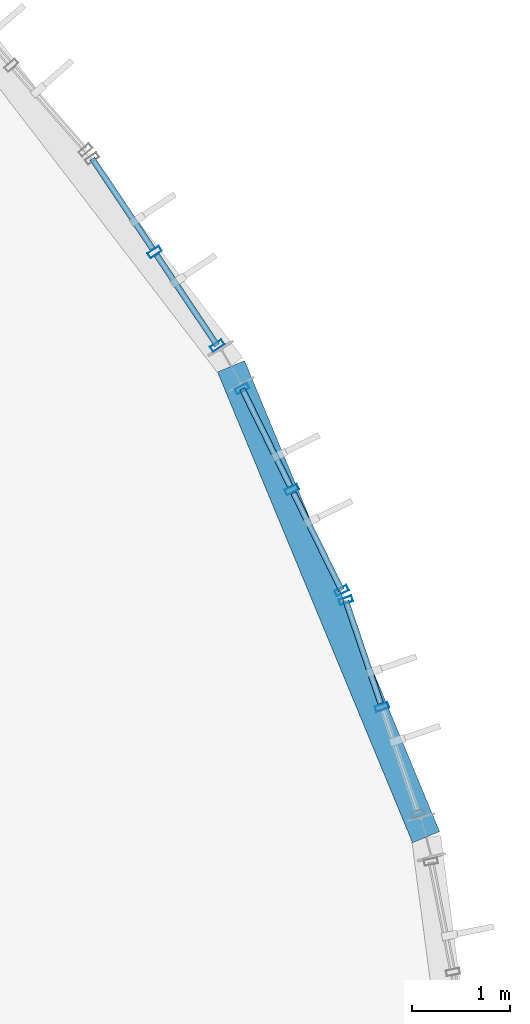
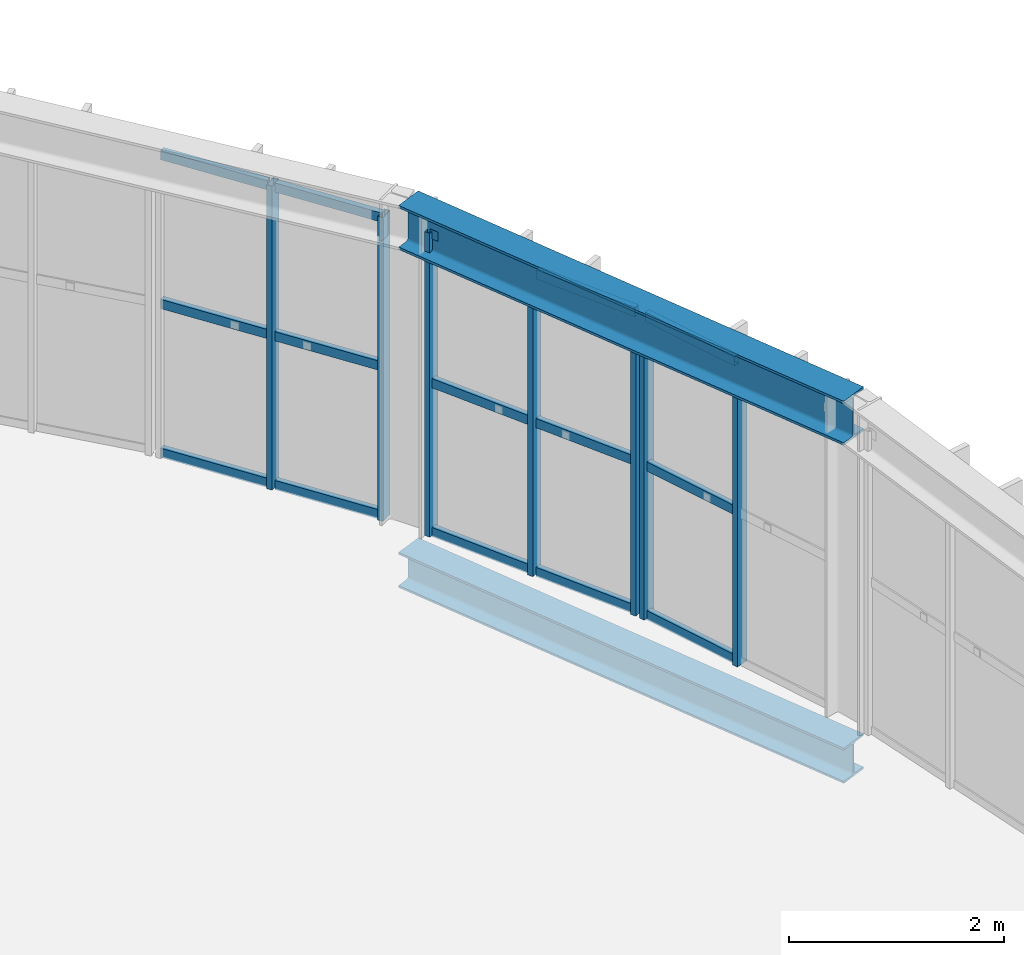
# One storey, part 73 of 152: 22 members, 2 beams, 3 elements without a shape of their own.
"""IFC4 building model written with IfcOpenShell, lengths in metres."""

from ifc_helpers import new_model, si_unit, derived_unit, direction, frame, origin, origin_2d, place, context, subcontext, project, spatial, hollow_rectangle, i_section, extrude, material, material_profile, profile_set, type_object, element, aggregate, save


model = new_model("IFC4")

# Units and contexts
model_context = context("Model", 3, precision=1e-05, world=origin(), true_north=direction((0.0, 1.0)))
body_context = subcontext(model_context, "Body", "Model", "MODEL_VIEW")
ifc_project = project(units=[si_unit("LENGTHUNIT", "METRE"), si_unit("AREAUNIT", "SQUARE_METRE"), si_unit("VOLUMEUNIT", "CUBIC_METRE"), si_unit("PLANEANGLEUNIT", "RADIAN"), si_unit("MASSUNIT", "GRAM", prefix="KILO"), si_unit("THERMODYNAMICTEMPERATUREUNIT", "KELVIN"), si_unit("TIMEUNIT", "SECOND"), derived_unit("THERMALTRANSMITTANCEUNIT", [(si_unit("MASSUNIT", "GRAM", prefix="KILO"), 1), (si_unit("THERMODYNAMICTEMPERATUREUNIT", "KELVIN"), -1), (si_unit("TIMEUNIT", "SECOND"), -3)])], contexts=[model_context])

# Site, building, storey
site_placement = place(None, origin())
site = spatial("IfcSite", under=ifc_project, at=site_placement, CompositionType="ELEMENT")
building_placement = place(site_placement, origin())
building = spatial("IfcBuilding", under=site, at=building_placement, Name="Cambertide Market Hall", CompositionType="ELEMENT")
storey_placement = place(building_placement, frame((0.0, 0.0, 5.39990234375)))
storey = spatial("IfcBuildingStorey", under=building, at=storey_placement, Name="L02", CompositionType="ELEMENT", Elevation=5.39990234375)

# Curtain wall, members
ifc_material_1 = material(Name="Marine Anodized Aluminium 6063-T6 AA25", Category="aluminium")
curtain_wall_type = type_object("IfcCurtainWallType", Name="Lantern Apse Chord Upper Curtain Wall", PredefinedType="USERDEFINED", material=ifc_material_1)
curtain_wall_1_placement = place(storey_placement, origin())
curtain_wall_1 = element("IfcCurtainWall", 1, at=curtain_wall_1_placement, inside=storey, type_object=curtain_wall_type, Name="Level 2 Curtain Wall CW-V1AE-L02-15", ObjectType="UNITIZED CURTAIN WALL", PredefinedType="USERDEFINED")
ifc_material_2 = material(Name="Champagne Marine Anodized Aluminium 6063-T6 AA25", Category="aluminium")
ifc_material_profile_1 = material_profile(ifc_material_2, hollow_rectangle(XDim=0.06005859375, YDim=0.139892578125, WallThickness=0.00341796875, at=origin_2d()), Name="ALU MULLION 60x140")
ifc_profile_set_1 = profile_set([ifc_material_profile_1], Name="Champagne Marine Anodized Aluminium 6063-T6 AA25")
member_type_1 = type_object("IfcMemberType", Name="Curtain Wall Mullion ALU MULLION 60x140", PredefinedType="MULLION", material=ifc_profile_set_1)
member_1_placement = place(storey_placement, frame((123.495361328125, 79.6015625, 0.0), z_axis=(0.0, 0.0, 1.0), x_axis=(0.32143947831, -0.94693012508, 0.0)))
member_1 = element("IfcMember", 2, at=member_1_placement, type_object=member_type_1, Name="CW-V1AE-L02-15 Mullion 1", PredefinedType="MULLION", context=body_context, shape_type="SweptSolid", body=[
    extrude(hollow_rectangle(XDim=0.06005859375, YDim=0.139892578125, WallThickness=0.00341796875, at=origin_2d()), origin(), (0.0, 0.0, 1.0), 3.4501953125),
])
member_2_placement = place(storey_placement, frame((123.865966796875, 78.509765625, 0.0), z_axis=(0.0, 0.0, 1.0), x_axis=(0.32143947831, -0.94693012508, 0.0)))
member_2 = element("IfcMember", 3, at=member_2_placement, type_object=member_type_1, Name="CW-V1AE-L02-15 Mullion 2", PredefinedType="MULLION", context=body_context, shape_type="SweptSolid", body=[
    extrude(hollow_rectangle(XDim=0.06005859375, YDim=0.139892578125, WallThickness=0.00341796875, at=origin_2d()), origin(), (0.0, 0.0, 1.0), 3.4501953125),
])

curtain_wall_2_placement = place(storey_placement, origin())
curtain_wall_2 = element("IfcCurtainWall", 4, at=curtain_wall_2_placement, inside=storey, type_object=curtain_wall_type, Name="Level 2 Curtain Wall CW-V1AE-L02-16", ObjectType="UNITIZED CURTAIN WALL", PredefinedType="USERDEFINED")
member_3_placement = place(storey_placement, frame((122.433349609375, 81.771240234375, 0.0), z_axis=(0.0, 0.0, 1.0), x_axis=(0.442288874522, -0.896872650645, 0.0)))
member_3 = element("IfcMember", 5, at=member_3_placement, type_object=member_type_1, Name="CW-V1AE-L02-16 Mullion 1", PredefinedType="MULLION", context=body_context, shape_type="SweptSolid", body=[
    extrude(hollow_rectangle(XDim=0.06005859375, YDim=0.139892578125, WallThickness=0.00341796875, at=origin_2d()), origin(), (0.0, 0.0, 1.0), 3.4501953125),
])
member_4_placement = place(storey_placement, frame((122.943359375, 80.737060546875, 0.0), z_axis=(0.0, 0.0, 1.0), x_axis=(0.442288874522, -0.896872650645, 0.0)))
member_4 = element("IfcMember", 6, at=member_4_placement, type_object=member_type_1, Name="CW-V1AE-L02-16 Mullion 2", PredefinedType="MULLION", context=body_context, shape_type="SweptSolid", body=[
    extrude(hollow_rectangle(XDim=0.06005859375, YDim=0.139892578125, WallThickness=0.00341796875, at=origin_2d()), origin(), (0.0, 0.0, 1.0), 3.4501953125),
])
member_5_placement = place(storey_placement, frame((123.453369140625, 79.702880859375, 0.0), z_axis=(0.0, 0.0, 1.0), x_axis=(0.442288874522, -0.896872650645, 0.0)))
member_5 = element("IfcMember", 7, at=member_5_placement, type_object=member_type_1, Name="CW-V1AE-L02-16 Mullion 3", PredefinedType="MULLION", context=body_context, shape_type="SweptSolid", body=[
    extrude(hollow_rectangle(XDim=0.06005859375, YDim=0.139892578125, WallThickness=0.00341796875, at=origin_2d()), origin(), (0.0, 0.0, 1.0), 3.4501953125),
])

curtain_wall_3_placement = place(storey_placement, origin())
curtain_wall_3 = element("IfcCurtainWall", 8, at=curtain_wall_3_placement, inside=storey, type_object=curtain_wall_type, Name="Level 2 Curtain Wall CW-V1AE-L02-17", ObjectType="UNITIZED CURTAIN WALL", PredefinedType="USERDEFINED")
member_6_placement = place(storey_placement, frame((121.538330078125, 83.170654296875, 0.0), z_axis=(0.0, 0.0, 1.0), x_axis=(0.555570087582, -0.831469709481, 0.0)))
member_6 = element("IfcMember", 9, at=member_6_placement, type_object=member_type_1, Name="CW-V1AE-L02-17 Mullion 2", PredefinedType="MULLION", context=body_context, shape_type="SweptSolid", body=[
    extrude(hollow_rectangle(XDim=0.06005859375, YDim=0.139892578125, WallThickness=0.00341796875, at=origin_2d()), origin(), (0.0, 0.0, 1.0), 3.4501953125),
])
member_7_placement = place(storey_placement, frame((122.178955078125, 82.2119140625, 0.0), z_axis=(0.0, 0.0, 1.0), x_axis=(0.555570087582, -0.831469709481, 0.0)))
member_7 = element("IfcMember", 10, at=member_7_placement, type_object=member_type_1, Name="CW-V1AE-L02-17 Mullion 3", PredefinedType="MULLION", context=body_context, shape_type="SweptSolid", body=[
    extrude(hollow_rectangle(XDim=0.06005859375, YDim=0.139892578125, WallThickness=0.00341796875, at=origin_2d()), origin(), (0.0, 0.0, 1.0), 3.4501953125),
])

# Member
ifc_material_3 = material(Name="Champagne Marine Anodized Aluminium 6063-T6 AA25", Category="aluminium")
ifc_material_profile_2 = material_profile(ifc_material_3, hollow_rectangle(XDim=0.06005859375, YDim=0.10498046875, WallThickness=0.0029296875, at=origin_2d()), Name="ALU TRANSOM 60x105")
ifc_profile_set_2 = profile_set([ifc_material_profile_2], Name="Champagne Marine Anodized Aluminium 6063-T6 AA25")
member_type_2 = type_object("IfcMemberType", Name="Curtain Wall Transom ALU TRANSOM 60x105", PredefinedType="USERDEFINED", material=ifc_profile_set_2)
member_8_placement = place(storey_placement, frame((123.496826171875, 79.596923828125, 0.03515625), z_axis=(0.321444521782, -0.946928413037, 0.0), x_axis=(0.946928413037, 0.321444521782, 0.0)))
member_8 = element("IfcMember", 11, at=member_8_placement, type_object=member_type_2, Name="CW-V1AE-L02-15 Transom 1-1", ObjectType="TRANSOM", PredefinedType="USERDEFINED", context=body_context, shape_type="SweptSolid", body=[
    extrude(hollow_rectangle(XDim=0.06005859375, YDim=0.10498046875, WallThickness=0.0029296875, at=origin_2d()), origin(), (0.0, 0.0, 1.0), 1.108154296875),
])

member_9_placement = place(storey_placement, frame((123.496826171875, 79.596923828125, 1.72509765625), z_axis=(0.321444521782, -0.946928413037, 0.0), x_axis=(0.946928413037, 0.321444521782, 0.0)))
member_9 = element("IfcMember", 12, at=member_9_placement, type_object=member_type_2, Name="CW-V1AE-L02-15 Transom 2-1", ObjectType="TRANSOM", PredefinedType="USERDEFINED", context=body_context, shape_type="SweptSolid", body=[
    extrude(hollow_rectangle(XDim=0.06005859375, YDim=0.10498046875, WallThickness=0.0029296875, at=origin_2d()), origin(), (0.0, 0.0, 1.0), 1.108154296875),
])

member_10_placement = place(storey_placement, frame((123.496826171875, 79.596923828125, 3.4150390625), z_axis=(0.321444521782, -0.946928413037, 0.0), x_axis=(0.946928413037, 0.321444521782, 0.0)))
member_10 = element("IfcMember", 13, at=member_10_placement, type_object=member_type_2, Name="CW-V1AE-L02-15 Transom 3-1", ObjectType="TRANSOM", PredefinedType="USERDEFINED", context=body_context, shape_type="SweptSolid", body=[
    extrude(hollow_rectangle(XDim=0.06005859375, YDim=0.10498046875, WallThickness=0.0029296875, at=origin_2d()), origin(), (0.0, 0.0, 1.0), 1.108154296875),
])

aggregate(curtain_wall_1, [member_1, member_2, member_8, member_9, member_10])

member_11_placement = place(storey_placement, frame((122.435546875, 81.766845703125, 0.03515625), z_axis=(0.442183235129, -0.896924738521, 0.0), x_axis=(0.896924738521, 0.442183235129, 0.0)))
member_11 = element("IfcMember", 14, at=member_11_placement, type_object=member_type_2, Name="CW-V1AE-L02-16 Transom 1-1", ObjectType="TRANSOM", PredefinedType="USERDEFINED", context=body_context, shape_type="SweptSolid", body=[
    extrude(hollow_rectangle(XDim=0.06005859375, YDim=0.10498046875, WallThickness=0.0029296875, at=origin_2d()), origin(), (0.0, 0.0, 1.0), 1.108154296875),
])

member_12_placement = place(storey_placement, frame((122.9609375, 80.701171875, 0.03515625), z_axis=(0.44244786472, -0.896794227794, 0.0), x_axis=(0.896794227794, 0.44244786472, 0.0)))
member_12 = element("IfcMember", 15, at=member_12_placement, type_object=member_type_2, Name="CW-V1AE-L02-16 Transom 1-2", ObjectType="TRANSOM", PredefinedType="USERDEFINED", context=body_context, shape_type="SweptSolid", body=[
    extrude(hollow_rectangle(XDim=0.06005859375, YDim=0.10498046875, WallThickness=0.0029296875, at=origin_2d()), origin(), (0.0, 0.0, 1.0), 1.10791015625),
])

member_13_placement = place(storey_placement, frame((122.435546875, 81.766845703125, 1.72509765625), z_axis=(0.442183235129, -0.896924738521, 0.0), x_axis=(0.896924738521, 0.442183235129, 0.0)))
member_13 = element("IfcMember", 16, at=member_13_placement, type_object=member_type_2, Name="CW-V1AE-L02-16 Transom 2-1", ObjectType="TRANSOM", PredefinedType="USERDEFINED", context=body_context, shape_type="SweptSolid", body=[
    extrude(hollow_rectangle(XDim=0.06005859375, YDim=0.10498046875, WallThickness=0.0029296875, at=origin_2d()), origin(), (0.0, 0.0, 1.0), 1.108154296875),
])

member_14_placement = place(storey_placement, frame((122.9609375, 80.701171875, 1.72509765625), z_axis=(0.44244786472, -0.896794227794, 0.0), x_axis=(0.896794227794, 0.44244786472, 0.0)))
member_14 = element("IfcMember", 17, at=member_14_placement, type_object=member_type_2, Name="CW-V1AE-L02-16 Transom 2-2", ObjectType="TRANSOM", PredefinedType="USERDEFINED", context=body_context, shape_type="SweptSolid", body=[
    extrude(hollow_rectangle(XDim=0.06005859375, YDim=0.10498046875, WallThickness=0.0029296875, at=origin_2d()), origin(), (0.0, 0.0, 1.0), 1.10791015625),
])

member_15_placement = place(storey_placement, frame((122.435546875, 81.766845703125, 3.4150390625), z_axis=(0.442183235129, -0.896924738521, 0.0), x_axis=(0.896924738521, 0.442183235129, 0.0)))
member_15 = element("IfcMember", 18, at=member_15_placement, type_object=member_type_2, Name="CW-V1AE-L02-16 Transom 3-1", ObjectType="TRANSOM", PredefinedType="USERDEFINED", context=body_context, shape_type="SweptSolid", body=[
    extrude(hollow_rectangle(XDim=0.06005859375, YDim=0.10498046875, WallThickness=0.0029296875, at=origin_2d()), origin(), (0.0, 0.0, 1.0), 1.108154296875),
])

member_16_placement = place(storey_placement, frame((122.9609375, 80.701171875, 3.4150390625), z_axis=(0.44244786472, -0.896794227794, 0.0), x_axis=(0.896794227794, 0.44244786472, 0.0)))
member_16 = element("IfcMember", 19, at=member_16_placement, type_object=member_type_2, Name="CW-V1AE-L02-16 Transom 3-2", ObjectType="TRANSOM", PredefinedType="USERDEFINED", context=body_context, shape_type="SweptSolid", body=[
    extrude(hollow_rectangle(XDim=0.06005859375, YDim=0.10498046875, WallThickness=0.0029296875, at=origin_2d()), origin(), (0.0, 0.0, 1.0), 1.10791015625),
])

aggregate(curtain_wall_2, [member_3, member_4, member_5, member_11, member_12, member_13, member_14, member_15, member_16])

member_17_placement = place(storey_placement, frame((120.900390625, 84.125244140625, 0.03515625), z_axis=(0.55571677103, -0.831371680054, 0.0), x_axis=(0.831371680054, 0.55571677103, 0.0)))
member_17 = element("IfcMember", 20, at=member_17_placement, type_object=member_type_2, Name="CW-V1AE-L02-17 Transom 1-1", ObjectType="TRANSOM", PredefinedType="USERDEFINED", context=body_context, shape_type="SweptSolid", body=[
    extrude(hollow_rectangle(XDim=0.06005859375, YDim=0.10498046875, WallThickness=0.0029296875, at=origin_2d()), origin(), (0.0, 0.0, 1.0), 1.10791015625),
])

member_18_placement = place(storey_placement, frame((121.560546875, 83.137451171875, 0.03515625), z_axis=(0.555462658685, -0.83154148111, 0.0), x_axis=(0.83154148111, 0.555462658685, 0.0)))
member_18 = element("IfcMember", 21, at=member_18_placement, type_object=member_type_2, Name="CW-V1AE-L02-17 Transom 1-2", ObjectType="TRANSOM", PredefinedType="USERDEFINED", context=body_context, shape_type="SweptSolid", body=[
    extrude(hollow_rectangle(XDim=0.06005859375, YDim=0.10498046875, WallThickness=0.0029296875, at=origin_2d()), origin(), (0.0, 0.0, 1.0), 1.108154296875),
])

member_19_placement = place(storey_placement, frame((120.900390625, 84.125244140625, 1.72509765625), z_axis=(0.55571677103, -0.831371680054, 0.0), x_axis=(0.831371680054, 0.55571677103, 0.0)))
member_19 = element("IfcMember", 22, at=member_19_placement, type_object=member_type_2, Name="CW-V1AE-L02-17 Transom 2-1", ObjectType="TRANSOM", PredefinedType="USERDEFINED", context=body_context, shape_type="SweptSolid", body=[
    extrude(hollow_rectangle(XDim=0.06005859375, YDim=0.10498046875, WallThickness=0.0029296875, at=origin_2d()), origin(), (0.0, 0.0, 1.0), 1.10791015625),
])

member_20_placement = place(storey_placement, frame((121.560546875, 83.137451171875, 1.72509765625), z_axis=(0.555462658685, -0.83154148111, 0.0), x_axis=(0.83154148111, 0.555462658685, 0.0)))
member_20 = element("IfcMember", 23, at=member_20_placement, type_object=member_type_2, Name="CW-V1AE-L02-17 Transom 2-2", ObjectType="TRANSOM", PredefinedType="USERDEFINED", context=body_context, shape_type="SweptSolid", body=[
    extrude(hollow_rectangle(XDim=0.06005859375, YDim=0.10498046875, WallThickness=0.0029296875, at=origin_2d()), origin(), (0.0, 0.0, 1.0), 1.108154296875),
])

member_21_placement = place(storey_placement, frame((120.900390625, 84.125244140625, 3.4150390625), z_axis=(0.55571677103, -0.831371680054, 0.0), x_axis=(0.831371680054, 0.55571677103, 0.0)))
member_21 = element("IfcMember", 24, at=member_21_placement, type_object=member_type_2, Name="CW-V1AE-L02-17 Transom 3-1", ObjectType="TRANSOM", PredefinedType="USERDEFINED", context=body_context, shape_type="SweptSolid", body=[
    extrude(hollow_rectangle(XDim=0.06005859375, YDim=0.10498046875, WallThickness=0.0029296875, at=origin_2d()), origin(), (0.0, 0.0, 1.0), 1.10791015625),
])

member_22_placement = place(storey_placement, frame((121.560546875, 83.137451171875, 3.4150390625), z_axis=(0.555462658685, -0.83154148111, 0.0), x_axis=(0.83154148111, 0.555462658685, 0.0)))
member_22 = element("IfcMember", 25, at=member_22_placement, type_object=member_type_2, Name="CW-V1AE-L02-17 Transom 3-2", ObjectType="TRANSOM", PredefinedType="USERDEFINED", context=body_context, shape_type="SweptSolid", body=[
    extrude(hollow_rectangle(XDim=0.06005859375, YDim=0.10498046875, WallThickness=0.0029296875, at=origin_2d()), origin(), (0.0, 0.0, 1.0), 1.108154296875),
])

aggregate(curtain_wall_3, [member_6, member_7, member_17, member_18, member_19, member_20, member_21, member_22])

# Beams
ifc_material_4 = material(Name="Steel S355", Category="steel")
ifc_material_profile_3 = material_profile(ifc_material_4, i_section(OverallWidth=0.300048828125, OverallDepth=0.5, WebThickness=0.014404296875, FlangeThickness=0.028076171875, FilletRadius=0.027099609375, at=origin_2d()), Name="HEB 500")
ifc_profile_set_3 = profile_set([ifc_material_profile_3], Name="Steel S355")
beam_type_1 = type_object("IfcBeamType", Name="Exterior Steel Girder HEB 500", PredefinedType="BEAM", material=ifc_profile_set_3)
beam_1_placement = place(storey_placement, frame((124.318603515625, 77.17626953125, 3.4501953125), z_axis=(-0.382682172528, 0.923880054352, 0.0), x_axis=(-0.923880054352, -0.382682172528, 0.0)))
element("IfcBeam", 26, at=beam_1_placement, inside=storey, type_object=beam_type_1, Name="Level 2 Beam EAVE-V1AE-08", PredefinedType="BEAM", context=body_context, shape_type="SweptSolid", body=[
    extrude(i_section(OverallWidth=0.300048828125, OverallDepth=0.5, WebThickness=0.014404296875, FlangeThickness=0.028076171875, FilletRadius=0.027099609375, at=origin_2d()), origin(), (0.0, 0.0, 1.0), 5.22119140625),
])
ifc_material_5 = material(Name="Steel S355", Category="steel")
ifc_material_profile_4 = material_profile(ifc_material_5, i_section(OverallWidth=0.300048828125, OverallDepth=0.39990234375, WebThickness=0.013427734375, FlangeThickness=0.02392578125, FilletRadius=0.027099609375, at=origin_2d()), Name="HEB 400")
ifc_profile_set_4 = profile_set([ifc_material_profile_4], Name="Steel S355")
beam_type_2 = type_object("IfcBeamType", Name="Steel Girder HEB 400", PredefinedType="BEAM", material=ifc_profile_set_4)
beam_2_placement = place(storey_placement, frame((124.318603515625, 77.17626953125, -0.43994140625), z_axis=(-0.382682172528, 0.923880054352, 0.0), x_axis=(-0.923880054352, -0.382682172528, 0.0)))
element("IfcBeam", 27, at=beam_2_placement, inside=storey, type_object=beam_type_2, Name="Level 2 Beam BM-V1AE-L02-8", PredefinedType="BEAM", context=body_context, shape_type="SweptSolid", body=[
    extrude(i_section(OverallWidth=0.300048828125, OverallDepth=0.39990234375, WebThickness=0.013427734375, FlangeThickness=0.02392578125, FilletRadius=0.027099609375, at=origin_2d()), origin(), (0.0, 0.0, 1.0), 5.22119140625),
])

save(model, "model.ifc")
